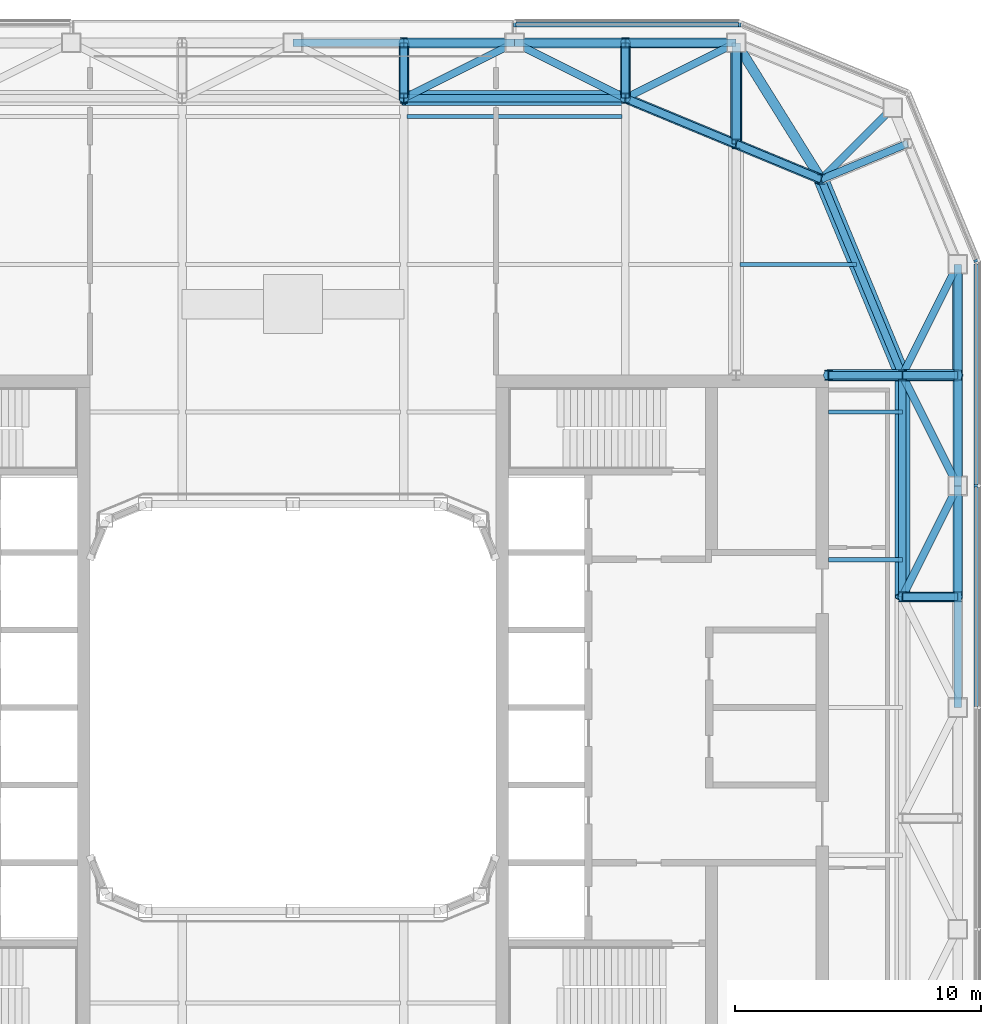
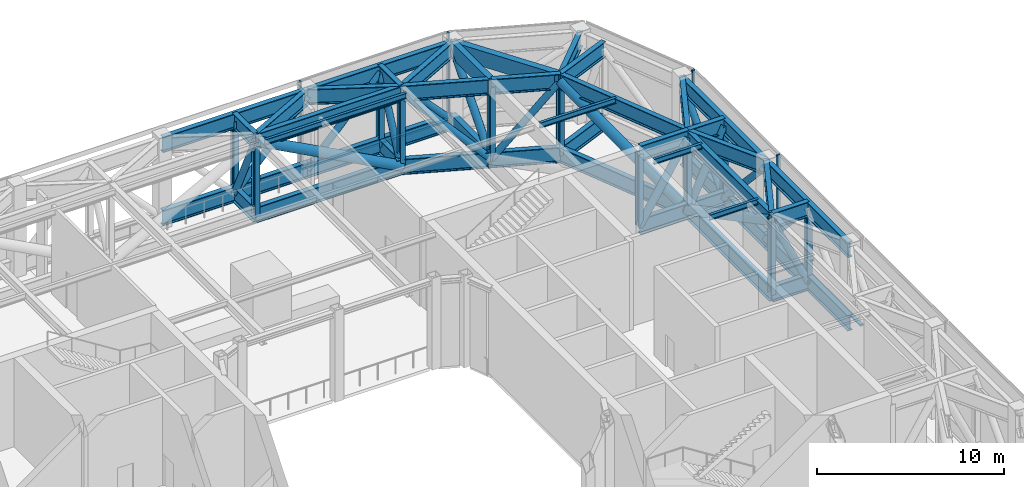
# One storey, part 8 of 21: 44 beams, 35 members, 3 elements without a shape of their own.
"""IFC4 building model written with IfcOpenShell, lengths in metres."""

from ifc_helpers import new_model, si_unit, direction, frame, origin, origin_2d, place, context, subcontext, project, spatial, rectangle, hollow_rectangle, hollow_circle, i_section, extrude, material, layer, layer_set, material_profile, profile_set, type_object, element, aggregate, save


model = new_model("IFC4")

# Units and contexts
model_context = context("Model", 3, precision=1e-05, world=origin(), true_north=direction((0.0, 1.0)))
body_context = subcontext(model_context, "Body", "Model", "MODEL_VIEW")
ifc_project = project(units=[si_unit("LENGTHUNIT", "METRE"), si_unit("AREAUNIT", "SQUARE_METRE"), si_unit("VOLUMEUNIT", "CUBIC_METRE"), si_unit("PLANEANGLEUNIT", "RADIAN"), si_unit("MASSUNIT", "GRAM", prefix="KILO")], contexts=[model_context])

# Site, building, storey
site_placement = place(None, origin())
site = spatial("IfcSite", under=ifc_project, at=site_placement, CompositionType="ELEMENT")
building_placement = place(site_placement, origin())
building = spatial("IfcBuilding", under=site, at=building_placement, Name="Siwar Civic Tower", CompositionType="ELEMENT")
storey_placement = place(building_placement, frame((0.0, 0.0, 278.199951171875)))
storey = spatial("IfcBuildingStorey", under=building, at=storey_placement, Name="L60", CompositionType="ELEMENT", Elevation=278.199951171875)

# Curtain wall, member
ifc_material_1 = material(Name="Aluminium and glass", Category="aluminium")
ifc_layer = layer(ifc_material_1, 0.199951171875)
ifc_layer_set = layer_set([ifc_layer], Name="Aluminium and glass")
curtain_wall_type = type_object("IfcCurtainWallType", Name="ENV-CW-P", PredefinedType="NOTDEFINED", material=ifc_layer_set)
curtain_wall_1_placement = place(storey_placement, origin())
curtain_wall_1 = element("IfcCurtainWall", 1, at=curtain_wall_1_placement, inside=storey, type_object=curtain_wall_type, Name="Curtain wall P E", PredefinedType="NOTDEFINED")
ifc_material_2 = material(Name="Aluminium 6063-T6", Category="aluminium")
ifc_material_profile_1 = material_profile(ifc_material_2, rectangle(XDim=0.199951171875, YDim=0.10009765625, at=origin_2d()), Name="AL 200x100")
ifc_profile_set_1 = profile_set([ifc_material_profile_1], Name="Aluminium 6063-T6")
member_type_1 = type_object("IfcMemberType", Name="ENV-MULLION-P", PredefinedType="MULLION", material=ifc_profile_set_1)
member_1_placement = place(storey_placement, frame((27.75, 9.0, 0.0), z_axis=(0.0, 0.0, 1.0), x_axis=(-1.0, 0.0, 0.0)))
member_1 = element("IfcMember", 2, at=member_1_placement, type_object=member_type_1, Name="Mullion P E 4", PredefinedType="MULLION", context=body_context, shape_type="SweptSolid", body=[
    extrude(rectangle(XDim=0.199951171875, YDim=0.10009765625, at=origin_2d()), origin(), (0.0, 0.0, 1.0), 5.800048828125),
])

curtain_wall_2_placement = place(storey_placement, origin())
curtain_wall_2 = element("IfcCurtainWall", 3, at=curtain_wall_2_placement, inside=storey, type_object=curtain_wall_type, Name="Curtain wall P NE1", PredefinedType="NOTDEFINED")
member_2_placement = place(storey_placement, frame((27.75, 18.149169921875, 0.0), z_axis=(0.0, 0.0, 1.0), x_axis=(-0.923879532511, -0.382683432365, 0.0)))
member_2 = element("IfcMember", 4, at=member_2_placement, type_object=member_type_1, Name="Mullion P NE1 1", PredefinedType="MULLION", context=body_context, shape_type="SweptSolid", body=[
    extrude(rectangle(XDim=0.199951171875, YDim=0.10009765625, at=origin_2d()), origin(), (0.0, 0.0, 1.0), 5.800048828125),
])
aggregate(curtain_wall_2, [member_2])

# Curtain wall, members
curtain_wall_3_placement = place(storey_placement, origin())
curtain_wall_3 = element("IfcCurtainWall", 5, at=curtain_wall_3_placement, inside=storey, type_object=curtain_wall_type, Name="Curtain wall P N-00", PredefinedType="NOTDEFINED")
member_3_placement = place(storey_placement, frame((18.149169921875, 27.75, 0.0), z_axis=(0.0, 0.0, 1.0), x_axis=(0.0, -1.0, 0.0)))
member_3 = element("IfcMember", 6, at=member_3_placement, type_object=member_type_1, Name="Mullion P N-00 1", PredefinedType="MULLION", context=body_context, shape_type="SweptSolid", body=[
    extrude(rectangle(XDim=0.199951171875, YDim=0.10009765625, at=origin_2d()), origin(), (0.0, 0.0, 1.0), 5.800048828125),
])
member_4_placement = place(storey_placement, frame((9.0, 27.75, 0.0), z_axis=(0.0, 0.0, 1.0), x_axis=(0.0, -1.0, 0.0)))
member_4 = element("IfcMember", 7, at=member_4_placement, type_object=member_type_1, Name="Mullion P N-00 2", PredefinedType="MULLION", context=body_context, shape_type="SweptSolid", body=[
    extrude(rectangle(XDim=0.199951171875, YDim=0.10009765625, at=origin_2d()), origin(), (0.0, 0.0, 1.0), 5.800048828125),
])

# Member
ifc_material_3 = material(Name="Aluminium 6063-T6", Category="aluminium")
ifc_material_profile_2 = material_profile(ifc_material_3, rectangle(XDim=0.199951171875, YDim=0.1201171875, at=origin_2d()), Name="AL 200x120")
ifc_profile_set_2 = profile_set([ifc_material_profile_2], Name="Aluminium 6063-T6")
member_type_2 = type_object("IfcMemberType", Name="ENV-TRANSOM-P", PredefinedType="USERDEFINED", material=ifc_profile_set_2)
member_5_placement = place(storey_placement, frame((27.75, 0.050048828125, 0.06005859375), z_axis=(0.0, 1.0, 0.0), x_axis=(-1.0, 0.0, 0.0)))
member_5 = element("IfcMember", 8, at=member_5_placement, type_object=member_type_2, Name="Transom P E 3", ObjectType="TRANSOM", PredefinedType="USERDEFINED", context=body_context, shape_type="SweptSolid", body=[
    extrude(rectangle(XDim=0.199951171875, YDim=0.1201171875, at=origin_2d()), origin(), (0.0, 0.0, 1.0), 8.89990234375),
])

member_6_placement = place(storey_placement, frame((27.75, 9.050048828125, 0.06005859375), z_axis=(0.0, 1.0, 0.0), x_axis=(-1.0, 0.0, 0.0)))
member_6 = element("IfcMember", 9, at=member_6_placement, type_object=member_type_2, Name="Transom P E 4", ObjectType="TRANSOM", PredefinedType="USERDEFINED", context=body_context, shape_type="SweptSolid", body=[
    extrude(rectangle(XDim=0.199951171875, YDim=0.1201171875, at=origin_2d()), origin(), (0.0, 0.0, 1.0), 8.97314453125),
])

aggregate(curtain_wall_1, [member_1, member_5, member_6])

member_7_placement = place(storey_placement, frame((18.09912109375, 27.75, 0.06005859375), z_axis=(-1.0, 0.0, 0.0), x_axis=(0.0, -1.0, 0.0)))
member_7 = element("IfcMember", 10, at=member_7_placement, type_object=member_type_2, Name="Transom P N-00 1", ObjectType="TRANSOM", PredefinedType="USERDEFINED", context=body_context, shape_type="SweptSolid", body=[
    extrude(rectangle(XDim=0.199951171875, YDim=0.1201171875, at=origin_2d()), origin(), (0.0, 0.0, 1.0), 9.049072265625),
])

aggregate(curtain_wall_3, [member_3, member_4, member_7])

# Beams
ifc_material_4 = material(Name="Steel S460", Category="steel")
ifc_material_profile_3 = material_profile(ifc_material_4, i_section(OverallWidth=0.302001953125, OverallDepth=1.008056640625, WebThickness=0.02099609375, FlangeThickness=0.0400390625, FilletRadius=0.030029296875, at=origin_2d()), Name="HEM1000")
ifc_profile_set_3 = profile_set([ifc_material_profile_3], Name="Steel S460")
beam_type_1 = type_object("IfcBeamType", Name="STR-BELT-TRUSS-CHORD-HEM1000", PredefinedType="BEAM", material=ifc_profile_set_3)
for number, where, z_axis, x_axis, name in (
    (11, (24.75, 4.5, 0.504150390625), (0.0, 1.0, 0.0), (-1.0, 0.0, 0.0), "Belt truss chord"),
    (12, (24.75, 4.5, 5.296142578125), (0.0, 1.0, 0.0), (-1.0, 0.0, 0.0), "Belt truss chord"),
):
    element("IfcBeam", number, at=place(storey_placement, frame(where, z_axis=z_axis, x_axis=x_axis)), inside=storey, type_object=beam_type_1, Name=name, PredefinedType="BEAM", context=body_context, shape_type="SweptSolid", body=[
        extrude(i_section(OverallWidth=0.302001953125, OverallDepth=1.008056640625, WebThickness=0.02099609375, FlangeThickness=0.0400390625, FilletRadius=0.030029296875, at=origin_2d()), origin(), (0.0, 0.0, 1.0), 9.0),
    ])
for number, where, z_axis, x_axis, name in (
    (13, (24.75, 13.5, 0.504150390625), (-0.382699877515, 0.923872720536, 0.0), (-0.923872720536, -0.382699877515, 0.0), "Belt truss chord"),
    (14, (24.75, 13.5, 5.296142578125), (-0.382699877515, 0.923872720536, 0.0), (-0.923872720536, -0.382699877515, 0.0), "Belt truss chord"),
):
    element("IfcBeam", number, at=place(storey_placement, frame(where, z_axis=z_axis, x_axis=x_axis)), inside=storey, type_object=beam_type_1, Name=name, PredefinedType="BEAM", context=body_context, shape_type="SweptSolid", body=[
        extrude(i_section(OverallWidth=0.302001953125, OverallDepth=1.008056640625, WebThickness=0.02099609375, FlangeThickness=0.0400390625, FilletRadius=0.030029296875, at=origin_2d()), origin(), (0.0, 0.0, 1.0), 8.6103515625),
    ])
for number, where, z_axis, x_axis, name in (
    (15, (21.454833984375, 21.454833984375, 0.504150390625), (-0.923868824781, 0.382709282091, 0.0), (-0.382709282091, -0.923868824781, 0.0), "Belt truss chord"),
    (16, (21.454833984375, 21.454833984375, 5.296142578125), (-0.923868824781, 0.382709282091, 0.0), (-0.382709282091, -0.923868824781, 0.0), "Belt truss chord"),
):
    element("IfcBeam", number, at=place(storey_placement, frame(where, z_axis=z_axis, x_axis=x_axis)), inside=storey, type_object=beam_type_1, Name=name, PredefinedType="BEAM", context=body_context, shape_type="SweptSolid", body=[
        extrude(i_section(OverallWidth=0.302001953125, OverallDepth=1.008056640625, WebThickness=0.02099609375, FlangeThickness=0.0400390625, FilletRadius=0.030029296875, at=origin_2d()), origin(), (0.0, 0.0, 1.0), 3.739501953125),
    ])
for number, where, z_axis, x_axis, name in (
    (17, (18.0, 22.885986328125, 0.504150390625), (-0.923875711423, 0.382692657157, 0.0), (-0.382692657157, -0.923875711423, 0.0), "Belt truss chord"),
    (18, (18.0, 22.885986328125, 5.296142578125), (-0.923875711423, 0.382692657157, 0.0), (-0.382692657157, -0.923875711423, 0.0), "Belt truss chord"),
):
    element("IfcBeam", number, at=place(storey_placement, frame(where, z_axis=z_axis, x_axis=x_axis)), inside=storey, type_object=beam_type_1, Name=name, PredefinedType="BEAM", context=body_context, shape_type="SweptSolid", body=[
        extrude(i_section(OverallWidth=0.302001953125, OverallDepth=1.008056640625, WebThickness=0.02099609375, FlangeThickness=0.0400390625, FilletRadius=0.030029296875, at=origin_2d()), origin(), (0.0, 0.0, 1.0), 4.870849609375),
    ])
for number, where, z_axis, x_axis, name in (
    (19, (13.5, 24.75, 0.504150390625), (-1.0, 0.0, 0.0), (0.0, -1.0, 0.0), "Belt truss chord"),
    (20, (13.5, 24.75, 5.296142578125), (-1.0, 0.0, 0.0), (0.0, -1.0, 0.0), "Belt truss chord"),
    (21, (27.0, 0.0, 0.504150390625), (0.0, 1.0, 0.0), (-1.0, 0.0, 0.0), "Belt truss chord"),
    (22, (27.0, 0.0, 5.296142578125), (0.0, 1.0, 0.0), (-1.0, 0.0, 0.0), "Belt truss chord"),
    (23, (27.0, 9.0, 0.504150390625), (0.0, 1.0, 0.0), (-1.0, 0.0, 0.0), "Belt truss chord"),
    (24, (27.0, 9.0, 5.296142578125), (0.0, 1.0, 0.0), (-1.0, 0.0, 0.0), "Belt truss chord"),
    (25, (18.0, 27.0, 0.504150390625), (-1.0, 0.0, 0.0), (0.0, -1.0, 0.0), "Belt truss chord"),
    (26, (18.0, 27.0, 5.296142578125), (-1.0, 0.0, 0.0), (0.0, -1.0, 0.0), "Belt truss chord"),
    (27, (9.0, 27.0, 0.504150390625), (-1.0, 0.0, 0.0), (0.0, -1.0, 0.0), "Belt truss chord"),
    (28, (9.0, 27.0, 5.296142578125), (-1.0, 0.0, 0.0), (0.0, -1.0, 0.0), "Belt truss chord"),
):
    element("IfcBeam", number, at=place(storey_placement, frame(where, z_axis=z_axis, x_axis=x_axis)), inside=storey, type_object=beam_type_1, Name=name, PredefinedType="BEAM", context=body_context, shape_type="SweptSolid", body=[
        extrude(i_section(OverallWidth=0.302001953125, OverallDepth=1.008056640625, WebThickness=0.02099609375, FlangeThickness=0.0400390625, FilletRadius=0.030029296875, at=origin_2d()), origin(), (0.0, 0.0, 1.0), 9.0),
    ])

# Members
ifc_material_5 = material(Name="Steel S355", Category="steel")
ifc_material_profile_4 = material_profile(ifc_material_5, hollow_circle(Radius=0.203125, WallThickness=0.01611328125, at=origin_2d()), Name="CHS406.4x16")
ifc_profile_set_4 = profile_set([ifc_material_profile_4], Name="Steel S355")
member_type_3 = type_object("IfcMemberType", Name="STR-BELT-TRUSS-DIAGONAL-CHS406.4x16", PredefinedType="BRACE", material=ifc_profile_set_4)
member_8_placement = place(storey_placement, frame((17.9970703125, 22.88720703125, 0.5), z_axis=(0.568386651016, -0.235414322971, 0.78836331186), x_axis=(0.38265688181, 0.923890529664, 0.0)))
element("IfcMember", 29, at=member_8_placement, inside=storey, type_object=member_type_3, Name="Belt truss diagonal", PredefinedType="BRACE", context=body_context, shape_type="SweptSolid", body=[
    extrude(hollow_circle(Radius=0.203125, WallThickness=0.01611328125, at=origin_2d()), origin(), (0.0, 0.0, 1.0), 6.088623046875),
])
member_9_placement = place(storey_placement, frame((18.003173828125, 22.884765625, 0.50048828125), z_axis=(-0.658560782999, 0.272800723091, 0.701339761155), x_axis=(-0.382702489371, -0.923871638611, 0.0)))
element("IfcMember", 30, at=member_9_placement, inside=storey, type_object=member_type_3, Name="Belt truss diagonal", PredefinedType="BRACE", context=body_context, shape_type="SweptSolid", body=[
    extrude(hollow_circle(Radius=0.203125, WallThickness=0.01611328125, at=origin_2d()), origin(), (0.0, 0.0, 1.0), 6.8427734375),
])
for number, where, z_axis, x_axis, name in (
    (31, (27.0, 9.00341796875, 0.50048828125), (0.0, -0.684545317859, 0.728970306526), (1.0, 0.0, 0.0), "Belt truss diagonal"),
    (32, (27.0, 13.50341796875, 0.50048828125), (0.0, -0.684545317859, 0.728970306526), (1.0, 0.0, 0.0), "Belt truss diagonal"),
    (33, (27.0, 13.49658203125, 0.50048828125), (0.0, 0.684545317859, 0.728970306526), (-1.0, 0.0, 0.0), "Belt truss diagonal"),
    (34, (18.00341796875, 27.0, 0.50048828125), (-0.684545317859, 0.0, 0.728970306526), (0.0, -1.0, 0.0), "Belt truss diagonal"),
    (35, (8.99658203125, 27.0, 0.50048828125), (0.684545317859, 0.0, 0.728970306526), (0.0, 1.0, 0.0), "Belt truss diagonal"),
    (36, (4.49658203125, 27.0, 0.50048828125), (0.684545317859, 0.0, 0.728970306526), (0.0, 1.0, 0.0), "Belt truss diagonal"),
):
    element("IfcMember", number, at=place(storey_placement, frame(where, z_axis=z_axis, x_axis=x_axis)), inside=storey, type_object=member_type_3, Name=name, PredefinedType="BRACE", context=body_context, shape_type="SweptSolid", body=[
        extrude(hollow_circle(Radius=0.203125, WallThickness=0.01611328125, at=origin_2d()), origin(), (0.0, 0.0, 1.0), 6.583740234375),
    ])
for number, where, z_axis, x_axis, name in (
    (37, (27.002197265625, 4.5, 0.49951171875), (-0.425038765055, 0.0, 0.905175147803), (0.0, -1.0, 0.0), "Belt truss diagonal"),
    (38, (13.5, 24.747802734375, 0.49951171875), (0.0, 0.425038765055, 0.905175147803), (-1.0, 0.0, 0.0), "Belt truss diagonal"),
    (39, (4.5, 27.002197265625, 0.49951171875), (0.0, -0.425038765055, 0.905175147803), (1.0, 0.0, 0.0), "Belt truss diagonal"),
):
    element("IfcMember", number, at=place(storey_placement, frame(where, z_axis=z_axis, x_axis=x_axis)), inside=storey, type_object=member_type_3, Name=name, PredefinedType="BRACE", context=body_context, shape_type="SweptSolid", body=[
        extrude(hollow_circle(Radius=0.203125, WallThickness=0.01611328125, at=origin_2d()), origin(), (0.0, 0.0, 1.0), 5.303955078125),
    ])
ifc_material_6 = material(Name="Steel S355", Category="steel")
ifc_material_profile_5 = material_profile(ifc_material_6, hollow_circle(Radius=0.304931640625, WallThickness=0.030029296875, at=origin_2d()), Name="CHS610x30")
ifc_profile_set_5 = profile_set([ifc_material_profile_5], Name="Steel S355")
member_type_4 = type_object("IfcMemberType", Name="STR-BELT-TRUSS-DIAGONAL-CHS610x30", PredefinedType="BRACE", material=ifc_profile_set_5)
member_10_placement = place(storey_placement, frame((24.75, 13.50439453125, 0.501708984375), z_axis=(0.0, -0.882680501151, 0.469973544881), x_axis=(1.0, 0.0, 0.0)))
element("IfcMember", 40, at=member_10_placement, inside=storey, type_object=member_type_4, Name="Belt truss diagonal", PredefinedType="BRACE", context=body_context, shape_type="SweptSolid", body=[
    extrude(hollow_circle(Radius=0.304931640625, WallThickness=0.030029296875, at=origin_2d()), origin(), (0.0, 0.0, 1.0), 10.2060546875),
])
member_11_placement = place(storey_placement, frame((24.751708984375, 13.495849609375, 0.501708984375), z_axis=(-0.334378008671, 0.807284049506, 0.486296011427), x_axis=(-0.923883575944, -0.382673670509, 0.0)))
element("IfcMember", 41, at=member_11_placement, inside=storey, type_object=member_type_4, Name="Belt truss diagonal", PredefinedType="BRACE", context=body_context, shape_type="SweptSolid", body=[
    extrude(hollow_circle(Radius=0.304931640625, WallThickness=0.030029296875, at=origin_2d()), origin(), (0.0, 0.0, 1.0), 9.864013671875),
])
member_12_placement = place(storey_placement, frame((13.50439453125, 24.75, 0.501708984375), z_axis=(-0.882680501151, 0.0, 0.469973544881), x_axis=(0.0, -1.0, 0.0)))
element("IfcMember", 42, at=member_12_placement, inside=storey, type_object=member_type_4, Name="Belt truss diagonal", PredefinedType="BRACE", context=body_context, shape_type="SweptSolid", body=[
    extrude(hollow_circle(Radius=0.304931640625, WallThickness=0.030029296875, at=origin_2d()), origin(), (0.0, 0.0, 1.0), 10.2060546875),
])

# Beams
ifc_material_7 = material(Name="Steel S460", Category="steel")
ifc_material_profile_6 = material_profile(ifc_material_7, i_section(OverallWidth=0.302001953125, OverallDepth=1.008056640625, WebThickness=0.02099609375, FlangeThickness=0.0400390625, FilletRadius=0.030029296875, at=origin_2d()), Name="HEM1000")
ifc_profile_set_6 = profile_set([ifc_material_profile_6], Name="Steel S460")
beam_type_2 = type_object("IfcBeamType", Name="STR-BELT-TRUSS-LADDER-CHORD-HEM1000", PredefinedType="BEAM", material=ifc_profile_set_6)
for number, where, z_axis, x_axis, name in (
    (43, (24.75, 4.5, 0.504150390625), (1.0, 0.0, 0.0), (0.0, 1.0, 0.0), "Belt truss ladder chord"),
    (44, (24.75, 4.5, 5.296142578125), (1.0, 0.0, 0.0), (0.0, 1.0, 0.0), "Belt truss ladder chord"),
):
    element("IfcBeam", number, at=place(storey_placement, frame(where, z_axis=z_axis, x_axis=x_axis)), inside=storey, type_object=beam_type_2, Name=name, PredefinedType="BEAM", context=body_context, shape_type="SweptSolid", body=[
        extrude(i_section(OverallWidth=0.302001953125, OverallDepth=1.008056640625, WebThickness=0.02099609375, FlangeThickness=0.0400390625, FilletRadius=0.030029296875, at=origin_2d()), origin(), (0.0, 0.0, 1.0), 2.25),
    ])
for number, where, z_axis, x_axis, name in (
    (45, (21.454833984375, 21.454833984375, 0.504150390625), (0.923880619824, 0.382680807349, 0.0), (-0.382680807349, 0.923880619824, 0.0), "Belt truss ladder chord"),
    (46, (21.454833984375, 21.454833984375, 5.296142578125), (0.923880619824, 0.382680807349, 0.0), (-0.382680807349, 0.923880619824, 0.0), "Belt truss ladder chord"),
):
    element("IfcBeam", number, at=place(storey_placement, frame(where, z_axis=z_axis, x_axis=x_axis)), inside=storey, type_object=beam_type_2, Name=name, PredefinedType="BEAM", context=body_context, shape_type="SweptSolid", body=[
        extrude(i_section(OverallWidth=0.302001953125, OverallDepth=1.008056640625, WebThickness=0.02099609375, FlangeThickness=0.0400390625, FilletRadius=0.030029296875, at=origin_2d()), origin(), (0.0, 0.0, 1.0), 3.801025390625),
    ])
for number, where, z_axis, x_axis, name in (
    (47, (13.5, 24.75, 0.504150390625), (0.0, 1.0, 0.0), (-1.0, 0.0, 0.0), "Belt truss ladder chord"),
    (48, (13.5, 24.75, 5.296142578125), (0.0, 1.0, 0.0), (-1.0, 0.0, 0.0), "Belt truss ladder chord"),
    (49, (4.5, 24.75, 0.504150390625), (0.0, 1.0, 0.0), (-1.0, 0.0, 0.0), "Belt truss ladder chord"),
    (50, (4.5, 24.75, 5.296142578125), (0.0, 1.0, 0.0), (-1.0, 0.0, 0.0), "Belt truss ladder chord"),
):
    element("IfcBeam", number, at=place(storey_placement, frame(where, z_axis=z_axis, x_axis=x_axis)), inside=storey, type_object=beam_type_2, Name=name, PredefinedType="BEAM", context=body_context, shape_type="SweptSolid", body=[
        extrude(i_section(OverallWidth=0.302001953125, OverallDepth=1.008056640625, WebThickness=0.02099609375, FlangeThickness=0.0400390625, FilletRadius=0.030029296875, at=origin_2d()), origin(), (0.0, 0.0, 1.0), 2.25),
    ])

# Members
ifc_material_8 = material(Name="Steel S355", Category="steel")
ifc_material_profile_7 = material_profile(ifc_material_8, i_section(OverallWidth=0.300048828125, OverallDepth=0.39990234375, WebThickness=0.013427734375, FlangeThickness=0.02392578125, FilletRadius=0.027099609375, at=origin_2d()), Name="HEB400")
ifc_profile_set_7 = profile_set([ifc_material_profile_7], Name="Steel S355")
member_type_5 = type_object("IfcMemberType", Name="STR-BELT-TRUSS-POST-HEB400", PredefinedType="POST", material=ifc_profile_set_7)
for number, where, z_axis, x_axis, name in (
    (51, (4.5, 24.75, 0.504150390625), (0.0, 0.0, 1.0), (1.0, 0.0, 0.0), "Belt truss post"),
    (52, (4.5, 27.0, 0.504150390625), (0.0, 0.0, 1.0), (1.0, 0.0, 0.0), "Belt truss post"),
    (53, (13.5, 24.75, 0.504150390625), (0.0, 0.0, 1.0), (1.0, 0.0, 0.0), "Belt truss post"),
    (54, (13.5, 27.0, 0.504150390625), (0.0, 0.0, 1.0), (1.0, 0.0, 0.0), "Belt truss post"),
    (55, (18.0, 22.885986328125, 0.504150390625), (0.0, 0.0, 1.0), (1.0, 0.0, 0.0), "Belt truss post"),
    (56, (21.454833984375, 21.454833984375, 0.504150390625), (0.0, 0.0, 1.0), (1.0, 0.0, 0.0), "Belt truss post"),
    (57, (24.75, 4.5, 0.504150390625), (0.0, 0.0, 1.0), (1.0, 0.0, 0.0), "Belt truss post"),
    (58, (24.75, 13.5, 0.504150390625), (0.0, 0.0, 1.0), (1.0, 0.0, 0.0), "Belt truss post"),
    (59, (27.0, 4.5, 0.504150390625), (0.0, 0.0, 1.0), (1.0, 0.0, 0.0), "Belt truss post"),
    (60, (27.0, 13.5, 0.504150390625), (0.0, 0.0, 1.0), (1.0, 0.0, 0.0), "Belt truss post"),
):
    element("IfcMember", number, at=place(storey_placement, frame(where, z_axis=z_axis, x_axis=x_axis)), inside=storey, type_object=member_type_5, Name=name, PredefinedType="POST", context=body_context, shape_type="SweptSolid", body=[
        extrude(i_section(OverallWidth=0.300048828125, OverallDepth=0.39990234375, WebThickness=0.013427734375, FlangeThickness=0.02392578125, FilletRadius=0.027099609375, at=origin_2d()), origin(), (0.0, 0.0, 1.0), 4.7919921875),
    ])

# Beams
ifc_material_9 = material(Name="Steel S355", Category="steel")
ifc_material_profile_8 = material_profile(ifc_material_9, i_section(OverallWidth=0.169921875, OverallDepth=0.360107421875, WebThickness=0.008056640625, FlangeThickness=0.0126953125, FilletRadius=0.01806640625, at=origin_2d()), Name="IPE360")
ifc_profile_set_8 = profile_set([ifc_material_profile_8], Name="Steel S355")
beam_type_3 = type_object("IfcBeamType", Name="STR-FB-IPE360", PredefinedType="JOIST", material=ifc_profile_set_8)
for number, where, z_axis, x_axis, name in (
    (61, (21.75, 6.0, 5.6201171875), (1.0, 0.0, 0.0), (0.0, 1.0, 0.0), "L60/bm/F021"),
    (62, (21.75, 12.0, 5.6201171875), (1.0, 0.0, 0.0), (0.0, 1.0, 0.0), "L60/bm/F026"),
):
    element("IfcBeam", number, at=place(storey_placement, frame(where, z_axis=z_axis, x_axis=x_axis)), inside=storey, type_object=beam_type_3, Name=name, PredefinedType="JOIST", context=body_context, shape_type="SweptSolid", body=[
        extrude(i_section(OverallWidth=0.169921875, OverallDepth=0.360107421875, WebThickness=0.008056640625, FlangeThickness=0.0126953125, FilletRadius=0.01806640625, at=origin_2d()), origin(), (0.0, 0.0, 1.0), 3.0),
    ])
beam_1_placement = place(storey_placement, frame((18.155029296875, 18.0, 5.6201171875), z_axis=(1.0, 0.0, 0.0), x_axis=(0.0, 1.0, 0.0)))
element("IfcBeam", 63, at=beam_1_placement, inside=storey, type_object=beam_type_3, Name="L60/bm/F033", PredefinedType="JOIST", context=body_context, shape_type="SweptSolid", body=[
    extrude(i_section(OverallWidth=0.169921875, OverallDepth=0.360107421875, WebThickness=0.008056640625, FlangeThickness=0.0126953125, FilletRadius=0.01806640625, at=origin_2d()), origin(), (0.0, 0.0, 1.0), 4.73095703125),
])
beam_2_placement = place(storey_placement, frame((4.6298828125, 24.0, 5.6201171875), z_axis=(1.0, 0.0, 0.0), x_axis=(0.0, 1.0, 0.0)))
element("IfcBeam", 64, at=beam_2_placement, inside=storey, type_object=beam_type_3, Name="L60/bm/F036", PredefinedType="JOIST", context=body_context, shape_type="SweptSolid", body=[
    extrude(i_section(OverallWidth=0.169921875, OverallDepth=0.360107421875, WebThickness=0.008056640625, FlangeThickness=0.0126953125, FilletRadius=0.01806640625, at=origin_2d()), origin(), (0.0, 0.0, 1.0), 8.740234375),
])
ifc_material_10 = material(Name="Steel S460", Category="steel")
ifc_material_profile_9 = material_profile(ifc_material_10, hollow_rectangle(XDim=0.35009765625, YDim=1.008056640625, WallThickness=0.0400390625, at=origin_2d()), Name="BOX1008x350x40")
ifc_profile_set_9 = profile_set([ifc_material_profile_9], Name="Steel S460")
beam_type_4 = type_object("IfcBeamType", Name="STR-OUTRIGGER-TRUSS-CHORD-BOX1008x350x40", PredefinedType="BEAM", material=ifc_profile_set_9)
for number, where, z_axis, x_axis, name in (
    (65, (18.0, 27.0, 0.504150390625), (0.0, -1.0, 0.0), (1.0, 0.0, 0.0), "Outrigger truss chord"),
    (66, (18.0, 27.0, 5.296142578125), (0.0, -1.0, 0.0), (1.0, 0.0, 0.0), "Outrigger truss chord"),
):
    element("IfcBeam", number, at=place(storey_placement, frame(where, z_axis=z_axis, x_axis=x_axis)), inside=storey, type_object=beam_type_4, Name=name, PredefinedType="BEAM", context=body_context, shape_type="SweptSolid", body=[
        extrude(hollow_rectangle(XDim=0.35009765625, YDim=1.008056640625, WallThickness=0.0400390625, at=origin_2d()), origin(), (0.0, 0.0, 1.0), 4.114013671875),
    ])
ifc_material_11 = material(Name="Steel S460", Category="steel")
ifc_material_profile_10 = material_profile(ifc_material_11, i_section(OverallWidth=0.302001953125, OverallDepth=1.008056640625, WebThickness=0.02099609375, FlangeThickness=0.0400390625, FilletRadius=0.030029296875, at=origin_2d()), Name="HEM1000")
ifc_profile_set_10 = profile_set([ifc_material_profile_10], Name="Steel S460")
beam_type_5 = type_object("IfcBeamType", Name="STR-OUTRIGGER-TRUSS-CHORD-HEM1000", PredefinedType="BEAM", material=ifc_profile_set_10)
for number, where, z_axis, x_axis, name in (
    (67, (24.75, 13.5, 0.504150390625), (1.0, 0.0, 0.0), (0.0, 1.0, 0.0), "Outrigger truss chord"),
    (68, (24.75, 13.5, 5.296142578125), (1.0, 0.0, 0.0), (0.0, 1.0, 0.0), "Outrigger truss chord"),
):
    element("IfcBeam", number, at=place(storey_placement, frame(where, z_axis=z_axis, x_axis=x_axis)), inside=storey, type_object=beam_type_5, Name=name, PredefinedType="BEAM", context=body_context, shape_type="SweptSolid", body=[
        extrude(i_section(OverallWidth=0.302001953125, OverallDepth=1.008056640625, WebThickness=0.02099609375, FlangeThickness=0.0400390625, FilletRadius=0.030029296875, at=origin_2d()), origin(), (0.0, 0.0, 1.0), 2.25),
    ])
for number, where, z_axis, x_axis, name in (
    (69, (24.75, 13.5, 0.504150390625), (-1.0, 0.0, 0.0), (0.0, -1.0, 0.0), "Outrigger truss chord"),
    (70, (24.75, 13.5, 5.296142578125), (-1.0, 0.0, 0.0), (0.0, -1.0, 0.0), "Outrigger truss chord"),
):
    element("IfcBeam", number, at=place(storey_placement, frame(where, z_axis=z_axis, x_axis=x_axis)), inside=storey, type_object=beam_type_5, Name=name, PredefinedType="BEAM", context=body_context, shape_type="SweptSolid", body=[
        extrude(i_section(OverallWidth=0.302001953125, OverallDepth=1.008056640625, WebThickness=0.02099609375, FlangeThickness=0.0400390625, FilletRadius=0.030029296875, at=origin_2d()), origin(), (0.0, 0.0, 1.0), 3.0),
    ])

# Members
ifc_material_12 = material(Name="Steel S355", Category="steel")
ifc_material_profile_11 = material_profile(ifc_material_12, hollow_circle(Radius=0.228515625, WallThickness=0.02001953125, at=origin_2d()), Name="CHS457x20")
ifc_profile_set_11 = profile_set([ifc_material_profile_11], Name="Steel S355")
member_type_6 = type_object("IfcMemberType", Name="STR-OUTRIGGER-TRUSS-DIAGONAL-CHS457x20", PredefinedType="BRACE", material=ifc_profile_set_11)
member_13_placement = place(storey_placement, frame((24.747802734375, 13.5, 0.49951171875), z_axis=(0.425038765055, 0.0, 0.905175147803), x_axis=(0.0, 1.0, 0.0)))
element("IfcMember", 71, at=member_13_placement, inside=storey, type_object=member_type_6, Name="Outrigger truss diagonal", PredefinedType="BRACE", context=body_context, shape_type="SweptSolid", body=[
    extrude(hollow_circle(Radius=0.228515625, WallThickness=0.02001953125, at=origin_2d()), origin(), (0.0, 0.0, 1.0), 5.303955078125),
])
member_14_placement = place(storey_placement, frame((21.747314453125, 13.5, 0.499755859375), z_axis=(0.530638118245, 0.0, 0.847598482458), x_axis=(0.0, 1.0, 0.0)))
element("IfcMember", 72, at=member_14_placement, inside=storey, type_object=member_type_6, Name="Outrigger truss diagonal", PredefinedType="BRACE", context=body_context, shape_type="SweptSolid", body=[
    extrude(hollow_circle(Radius=0.228515625, WallThickness=0.02001953125, at=origin_2d()), origin(), (0.0, 0.0, 1.0), 5.66357421875),
])
member_15_placement = place(storey_placement, frame((18.0, 22.8828125, 0.500244140625), z_axis=(0.0, 0.651379194735, 0.758752360567), x_axis=(-1.0, 0.0, 0.0)))
element("IfcMember", 73, at=member_15_placement, inside=storey, type_object=member_type_6, Name="Outrigger truss diagonal", PredefinedType="BRACE", context=body_context, shape_type="SweptSolid", body=[
    extrude(hollow_circle(Radius=0.228515625, WallThickness=0.02001953125, at=origin_2d()), origin(), (0.0, 0.0, 1.0), 6.32568359375),
])
ifc_material_13 = material(Name="Steel S355", Category="steel")
ifc_material_profile_12 = material_profile(ifc_material_13, i_section(OverallWidth=0.300048828125, OverallDepth=0.39990234375, WebThickness=0.013427734375, FlangeThickness=0.02392578125, FilletRadius=0.027099609375, at=origin_2d()), Name="HEB400")
ifc_profile_set_12 = profile_set([ifc_material_profile_12], Name="Steel S355")
member_type_7 = type_object("IfcMemberType", Name="STR-OUTRIGGER-TRUSS-POST-HEB400", PredefinedType="POST", material=ifc_profile_set_12)
member_16_placement = place(storey_placement, frame((21.75, 13.5, 0.504150390625), z_axis=(0.0, 0.0, 1.0), x_axis=(1.0, 0.0, 0.0)))
element("IfcMember", 74, at=member_16_placement, inside=storey, type_object=member_type_7, Name="Outrigger truss post", PredefinedType="POST", context=body_context, shape_type="SweptSolid", body=[
    extrude(i_section(OverallWidth=0.300048828125, OverallDepth=0.39990234375, WebThickness=0.013427734375, FlangeThickness=0.02392578125, FilletRadius=0.027099609375, at=origin_2d()), origin(), (0.0, 0.0, 1.0), 4.7919921875),
])

# Beams
ifc_material_14 = material(Name="Steel S460", Category="steel")
ifc_material_profile_13 = material_profile(ifc_material_14, hollow_rectangle(XDim=0.39990234375, YDim=1.008056640625, WallThickness=0.0400390625, at=origin_2d()), Name="BOX1008x400x40")
ifc_profile_set_13 = profile_set([ifc_material_profile_13], Name="Steel S460")
beam_type_6 = type_object("IfcBeamType", Name="STR-TRANSFER-GIRDER-BOX1008x400x40", PredefinedType="BEAM", material=ifc_profile_set_13)
beam_3_placement = place(storey_placement, frame((21.454833984375, 21.454833984375, 5.296142578125), z_axis=(-0.528799264525, 0.848746922137, 0.0), x_axis=(-0.848746922137, -0.528799264525, 0.0)))
element("IfcBeam", 75, at=beam_3_placement, inside=storey, type_object=beam_type_6, Name="Transfer girder", PredefinedType="BEAM", context=body_context, shape_type="SweptSolid", body=[
    extrude(hollow_rectangle(XDim=0.39990234375, YDim=1.008056640625, WallThickness=0.0400390625, at=origin_2d()), origin(), (0.0, 0.0, 1.0), 6.533447265625),
])
ifc_material_15 = material(Name="Steel S460", Category="steel")
ifc_material_profile_14 = material_profile(ifc_material_15, i_section(OverallWidth=0.302001953125, OverallDepth=1.008056640625, WebThickness=0.02099609375, FlangeThickness=0.0400390625, FilletRadius=0.030029296875, at=origin_2d()), Name="HEM1000")
ifc_profile_set_14 = profile_set([ifc_material_profile_14], Name="Steel S460")
beam_type_7 = type_object("IfcBeamType", Name="STR-TRANSFER-GIRDER-HEM1000", PredefinedType="BEAM", material=ifc_profile_set_14)
for number, where, z_axis, x_axis, name in (
    (76, (24.75, 4.5, 5.296142578125), (0.4472135955, 0.894427191, 0.0), (-0.894427191, 0.4472135955, 0.0), "Transfer girder"),
    (77, (24.75, 13.5, 5.296142578125), (0.4472135955, -0.894427191, 0.0), (0.894427191, 0.4472135955, 0.0), "Transfer girder"),
    (78, (24.75, 13.5, 5.296142578125), (0.4472135955, 0.894427191, 0.0), (-0.894427191, 0.4472135955, 0.0), "Transfer girder"),
):
    element("IfcBeam", number, at=place(storey_placement, frame(where, z_axis=z_axis, x_axis=x_axis)), inside=storey, type_object=beam_type_7, Name=name, PredefinedType="BEAM", context=body_context, shape_type="SweptSolid", body=[
        extrude(i_section(OverallWidth=0.302001953125, OverallDepth=1.008056640625, WebThickness=0.02099609375, FlangeThickness=0.0400390625, FilletRadius=0.030029296875, at=origin_2d()), origin(), (0.0, 0.0, 1.0), 5.03125),
    ])
beam_4_placement = place(storey_placement, frame((21.454833984375, 21.454833984375, 5.296142578125), z_axis=(0.707106781187, 0.707106781187, 0.0), x_axis=(-0.707106781187, 0.707106781187, 0.0)))
element("IfcBeam", 79, at=beam_4_placement, inside=storey, type_object=beam_type_7, Name="Transfer girder", PredefinedType="BEAM", context=body_context, shape_type="SweptSolid", body=[
    extrude(i_section(OverallWidth=0.302001953125, OverallDepth=1.008056640625, WebThickness=0.02099609375, FlangeThickness=0.0400390625, FilletRadius=0.030029296875, at=origin_2d()), origin(), (0.0, 0.0, 1.0), 4.1142578125),
])
for number, where, z_axis, x_axis, name in (
    (80, (13.5, 24.75, 5.296142578125), (-0.894427191, 0.4472135955, 0.0), (-0.4472135955, -0.894427191, 0.0), "Transfer girder"),
    (81, (13.5, 24.75, 5.296142578125), (0.894427191, 0.4472135955, 0.0), (-0.4472135955, 0.894427191, 0.0), "Transfer girder"),
    (82, (4.5, 24.75, 5.296142578125), (0.894427191, 0.4472135955, 0.0), (-0.4472135955, 0.894427191, 0.0), "Transfer girder"),
):
    element("IfcBeam", number, at=place(storey_placement, frame(where, z_axis=z_axis, x_axis=x_axis)), inside=storey, type_object=beam_type_7, Name=name, PredefinedType="BEAM", context=body_context, shape_type="SweptSolid", body=[
        extrude(i_section(OverallWidth=0.302001953125, OverallDepth=1.008056640625, WebThickness=0.02099609375, FlangeThickness=0.0400390625, FilletRadius=0.030029296875, at=origin_2d()), origin(), (0.0, 0.0, 1.0), 5.03125),
    ])

save(model, "model.ifc")
